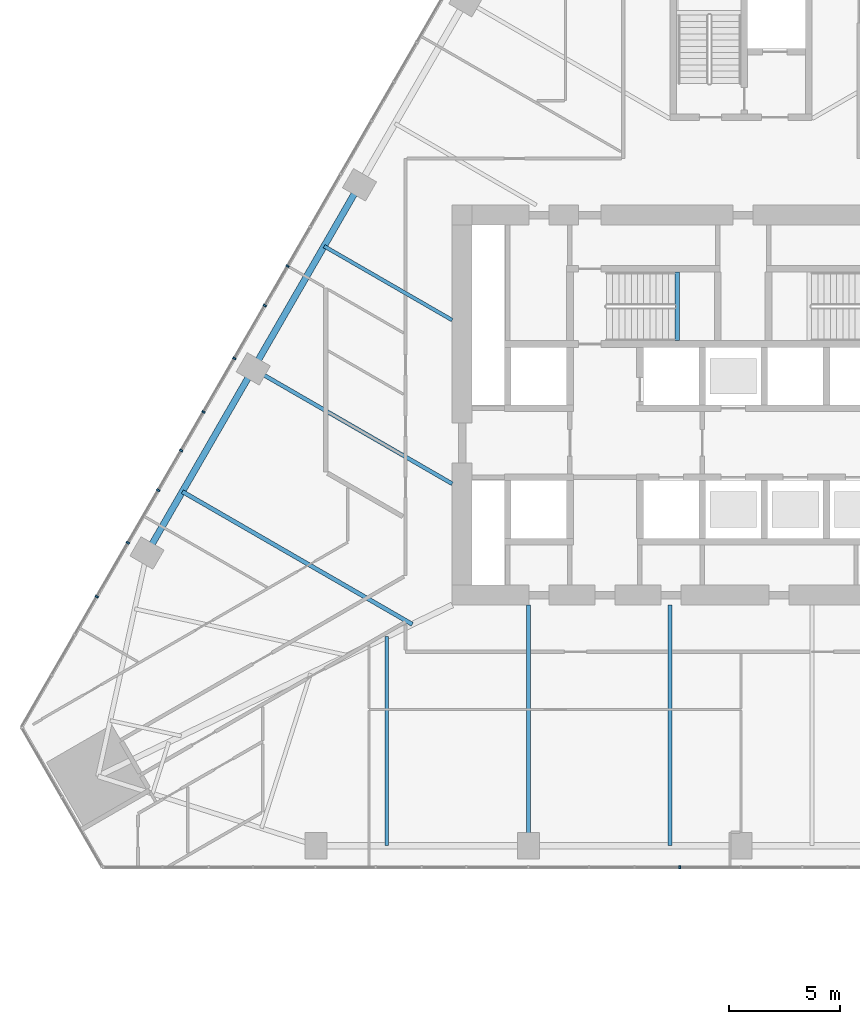
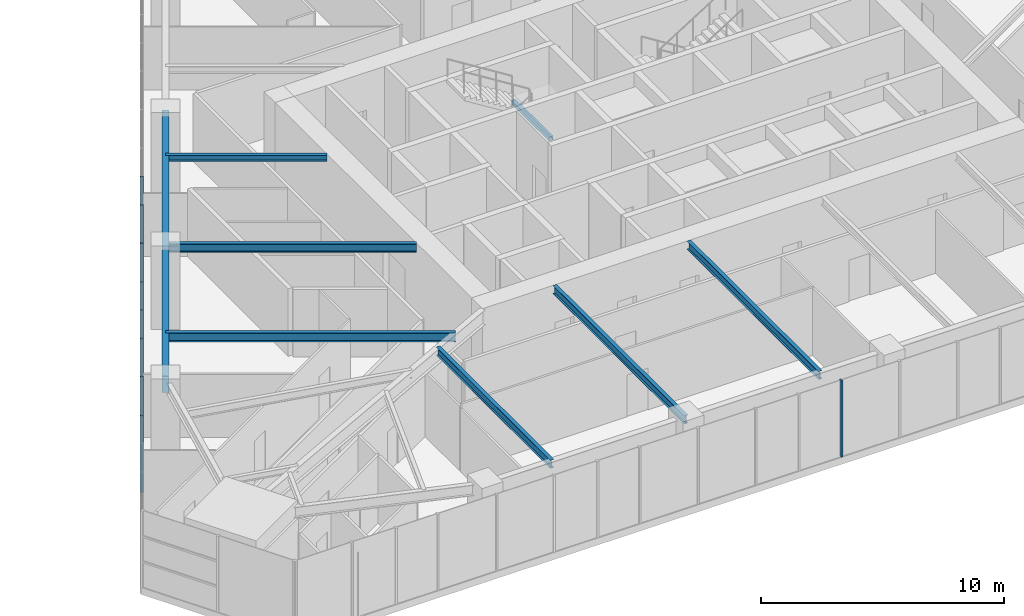
# One storey, part 4 of 26: 9 members, 8 beams, 2 elements without a shape of their own.
"""IFC4 building model written with IfcOpenShell, lengths in metres."""

from ifc_helpers import new_model, si_unit, direction, frame, origin, origin_2d, place, context, subcontext, project, spatial, rectangle, i_section, extrude, material, layer, layer_set, material_profile, profile_set, type_object, element, aggregate, save


model = new_model("IFC4")

# Units and contexts
model_context = context("Model", 3, precision=1e-05, world=origin(), true_north=direction((0.0, 1.0)))
body_context = subcontext(model_context, "Body", "Model", "MODEL_VIEW")
ifc_project = project(units=[si_unit("LENGTHUNIT", "METRE"), si_unit("AREAUNIT", "SQUARE_METRE"), si_unit("VOLUMEUNIT", "CUBIC_METRE"), si_unit("PLANEANGLEUNIT", "RADIAN"), si_unit("MASSUNIT", "GRAM", prefix="KILO")], contexts=[model_context])

# Site, building, storey
site_placement = place(None, origin())
site = spatial("IfcSite", under=ifc_project, at=site_placement, CompositionType="ELEMENT")
building_placement = place(site_placement, origin())
building = spatial("IfcBuilding", under=site, at=building_placement, Name="Firuza Gate Tower and Library", CompositionType="ELEMENT")
storey_placement = place(building_placement, frame((0.0, 0.0, 52.60009765625)))
storey = spatial("IfcBuildingStorey", under=building, at=storey_placement, Name="L11", CompositionType="ELEMENT", Elevation=52.60009765625)

# Curtain wall, member
ifc_material_1 = material(Name="Aluminium 6063-T6", Category="aluminium")
ifc_layer = layer(ifc_material_1, 0.14990234375)
ifc_layer_set = layer_set([ifc_layer], Name="Unitised curtain wall, offices")
curtain_wall_type = type_object("IfcCurtainWallType", Name="Unitised curtain wall, offices", PredefinedType="NOTDEFINED", material=ifc_layer_set)
placement = place(storey_placement, origin())
curtain_wall_1 = element("IfcCurtainWall", 1, at=placement, inside=storey, type_object=curtain_wall_type, Name="CW1 L11 S face", PredefinedType="NOTDEFINED")
ifc_material_2 = material(Name="Aluminium 6063-T6", Category="aluminium")
ifc_material_profile_1 = material_profile(ifc_material_2, rectangle(XDim=0.14990234375, YDim=0.080078125, at=origin_2d()))
ifc_profile_set_1 = profile_set([ifc_material_profile_1], Name="Aluminium 6063-T6")
member_type = type_object("IfcMemberType", Name="Curtain wall mullion 80x150", PredefinedType="MULLION", material=ifc_profile_set_1)
member_1_placement = place(storey_placement, frame((72.237548828125, 54.197265625, 0.14990234375), z_axis=(0.0, 0.0, 1.0), x_axis=(0.0, 1.0, 0.0)))
member_1 = element("IfcMember", 2, at=member_1_placement, type_object=member_type, Name="Mullion", PredefinedType="MULLION", context=body_context, shape_type="SweptSolid", body=[
    extrude(rectangle(XDim=0.14990234375, YDim=0.080078125, at=origin_2d()), origin(), (0.0, 0.0, 1.0), 3.85009765625),
])
aggregate(curtain_wall_1, [member_1])

# Curtain wall, members
curtain_wall_2 = element("IfcCurtainWall", 3, at=placement, inside=storey, type_object=curtain_wall_type, Name="CW1 L11 W face", PredefinedType="NOTDEFINED")
member_2_placement = place(storey_placement, frame((54.5888671875, 81.25244140625, 0.14990234375), z_axis=(0.0, 0.0, 1.0), x_axis=(0.866025403784, -0.5, 0.0)))
member_2 = element("IfcMember", 4, at=member_2_placement, type_object=member_type, Name="Mullion", PredefinedType="MULLION", context=body_context, shape_type="SweptSolid", body=[
    extrude(rectangle(XDim=0.14990234375, YDim=0.080078125, at=origin_2d()), origin(), (0.0, 0.0, 1.0), 3.85009765625),
])
member_3_placement = place(storey_placement, frame((52.193359375, 77.103515625, 0.14990234375), z_axis=(0.0, 0.0, 1.0), x_axis=(0.866025403784, -0.5, 0.0)))
member_3 = element("IfcMember", 5, at=member_3_placement, type_object=member_type, Name="Mullion", PredefinedType="MULLION", context=body_context, shape_type="SweptSolid", body=[
    extrude(rectangle(XDim=0.14990234375, YDim=0.080078125, at=origin_2d()), origin(), (0.0, 0.0, 1.0), 3.85009765625),
])
member_4_placement = place(storey_placement, frame((49.7978515625, 72.95458984375, 0.14990234375), z_axis=(0.0, 0.0, 1.0), x_axis=(0.866025403784, -0.5, 0.0)))
member_4 = element("IfcMember", 6, at=member_4_placement, type_object=member_type, Name="Mullion", PredefinedType="MULLION", context=body_context, shape_type="SweptSolid", body=[
    extrude(rectangle(XDim=0.14990234375, YDim=0.080078125, at=origin_2d()), origin(), (0.0, 0.0, 1.0), 3.85009765625),
])
member_5_placement = place(storey_placement, frame((47.402587890625, 68.805419921875, 0.14990234375), z_axis=(0.0, 0.0, 1.0), x_axis=(0.866025403784, -0.5, 0.0)))
member_5 = element("IfcMember", 7, at=member_5_placement, type_object=member_type, Name="Mullion", PredefinedType="MULLION", context=body_context, shape_type="SweptSolid", body=[
    extrude(rectangle(XDim=0.14990234375, YDim=0.080078125, at=origin_2d()), origin(), (0.0, 0.0, 1.0), 3.85009765625),
])
member_6_placement = place(storey_placement, frame((53.5654296875, 79.47998046875, 0.14990234375), z_axis=(0.0, 0.0, 1.0), x_axis=(0.866025403784, -0.5, 0.0)))
member_6 = element("IfcMember", 8, at=member_6_placement, type_object=member_type, Name="Mullion", PredefinedType="MULLION", context=body_context, shape_type="SweptSolid", body=[
    extrude(rectangle(XDim=0.14990234375, YDim=0.080078125, at=origin_2d()), origin(), (0.0, 0.0, 1.0), 3.85009765625),
])
member_7_placement = place(storey_placement, frame((50.802978515625, 74.6953125, 0.14990234375), z_axis=(0.0, 0.0, 1.0), x_axis=(0.866025403784, -0.5, 0.0)))
member_7 = element("IfcMember", 9, at=member_7_placement, type_object=member_type, Name="Mullion", PredefinedType="MULLION", context=body_context, shape_type="SweptSolid", body=[
    extrude(rectangle(XDim=0.14990234375, YDim=0.080078125, at=origin_2d()), origin(), (0.0, 0.0, 1.0), 3.85009765625),
])
member_8_placement = place(storey_placement, frame((48.765380859375, 71.166015625, 0.14990234375), z_axis=(0.0, 0.0, 1.0), x_axis=(0.866025403784, -0.5, 0.0)))
member_8 = element("IfcMember", 10, at=member_8_placement, type_object=member_type, Name="Mullion", PredefinedType="MULLION", context=body_context, shape_type="SweptSolid", body=[
    extrude(rectangle(XDim=0.14990234375, YDim=0.080078125, at=origin_2d()), origin(), (0.0, 0.0, 1.0), 3.85009765625),
])
member_9_placement = place(storey_placement, frame((46.0029296875, 66.38134765625, 0.14990234375), z_axis=(0.0, 0.0, 1.0), x_axis=(0.866025403784, -0.5, 0.0)))
member_9 = element("IfcMember", 11, at=member_9_placement, type_object=member_type, Name="Mullion", PredefinedType="MULLION", context=body_context, shape_type="SweptSolid", body=[
    extrude(rectangle(XDim=0.14990234375, YDim=0.080078125, at=origin_2d()), origin(), (0.0, 0.0, 1.0), 3.85009765625),
])
aggregate(curtain_wall_2, [member_2, member_3, member_4, member_5, member_6, member_7, member_8, member_9])

# Beams
ifc_material_3 = material(Name="Concrete C35/45", Category="concrete")
ifc_material_profile_2 = material_profile(ifc_material_3, rectangle(XDim=0.199951171875, YDim=0.199951171875, at=origin_2d()))
ifc_profile_set_2 = profile_set([ifc_material_profile_2], Name="Concrete C35/45")
beam_type_1 = type_object("IfcBeamType", Name="Stair landing bearer 200x200", PredefinedType="BEAM", material=ifc_profile_set_2)
beam_1_placement = place(storey_placement, frame((72.1201171875, 77.89990234375, 1.7998046875), z_axis=(0.0, 1.0, 0.0), x_axis=(-1.0, 0.0, 0.0)))
element("IfcBeam", 12, at=beam_1_placement, inside=storey, type_object=beam_type_1, Name="Landing bearer L11 stair 1", PredefinedType="BEAM", context=body_context, shape_type="SweptSolid", body=[
    extrude(rectangle(XDim=0.199951171875, YDim=0.199951171875, at=origin_2d()), origin(), (0.0, 0.0, 1.0), 3.080078125),
])
ifc_material_4 = material(Name="Steel S355", Category="steel")
ifc_material_profile_3 = material_profile(ifc_material_4, i_section(OverallWidth=0.1650390625, OverallDepth=0.31005859375, WebThickness=0.005859375, FlangeThickness=0.009765625, at=origin_2d()))
ifc_profile_set_3 = profile_set([ifc_material_profile_3], Name="Steel S355")
beam_type_2 = type_object("IfcBeamType", Name="W310x39 Floor beam", PredefinedType="JOIST", material=ifc_profile_set_3)
beam_2_placement = place(storey_placement, frame((56.234130859375, 82.152099609375, 3.844970703125), z_axis=(0.866029870483, -0.499992263371, 0.0), x_axis=(0.499992263371, 0.866029870483, 0.0)))
element("IfcBeam", 13, at=beam_2_placement, inside=storey, type_object=beam_type_2, Name="Floor beam L11 s83", PredefinedType="JOIST", context=body_context, shape_type="SweptSolid", body=[
    extrude(i_section(OverallWidth=0.1650390625, OverallDepth=0.31005859375, WebThickness=0.005859375, FlangeThickness=0.009765625, at=origin_2d()), origin(), (0.0, 0.0, 1.0), 6.65771484375),
])
ifc_material_5 = material(Name="Steel S355", Category="steel")
ifc_material_profile_4 = material_profile(ifc_material_5, i_section(OverallWidth=0.177978515625, OverallDepth=0.406982421875, WebThickness=0.0078125, FlangeThickness=0.0126953125, at=origin_2d()))
ifc_profile_set_4 = profile_set([ifc_material_profile_4], Name="Steel S355")
beam_type_3 = type_object("IfcBeamType", Name="W410x60 Floor beam", PredefinedType="JOIST", material=ifc_profile_set_4)
beam_3_placement = place(storey_placement, frame((59.0546875, 55.172119140625, 3.79638671875), z_axis=(0.0, 1.0, 0.0), x_axis=(-1.0, 0.0, 0.0)))
element("IfcBeam", 14, at=beam_3_placement, inside=storey, type_object=beam_type_3, Name="Floor beam L11 s20", PredefinedType="JOIST", context=body_context, shape_type="SweptSolid", body=[
    extrude(i_section(OverallWidth=0.177978515625, OverallDepth=0.406982421875, WebThickness=0.0078125, FlangeThickness=0.0126953125, at=origin_2d()), origin(), (0.0, 0.0, 1.0), 9.403564453125),
])
for number, where, z_axis, x_axis, name in (
    (15, (65.432861328125, 55.172119140625, 3.79638671875), (0.0, 1.0, 0.0), (-1.0, 0.0, 0.0), "Floor beam L11 s21"),
    (16, (71.81103515625, 55.172119140625, 3.79638671875), (0.0, 1.0, 0.0), (-1.0, 0.0, 0.0), "Floor beam L11 s22"),
):
    element("IfcBeam", number, at=place(storey_placement, frame(where, z_axis=z_axis, x_axis=x_axis)), inside=storey, type_object=beam_type_3, Name=name, PredefinedType="JOIST", context=body_context, shape_type="SweptSolid", body=[
        extrude(i_section(OverallWidth=0.177978515625, OverallDepth=0.406982421875, WebThickness=0.0078125, FlangeThickness=0.0126953125, at=origin_2d()), origin(), (0.0, 0.0, 1.0), 10.827880859375),
    ])
beam_4_placement = place(storey_placement, frame((53.044921875, 76.62841796875, 3.79638671875), z_axis=(0.866027528992, -0.499996319015, 0.0), x_axis=(0.499996319015, 0.866027528992, 0.0)))
element("IfcBeam", 17, at=beam_4_placement, inside=storey, type_object=beam_type_3, Name="Floor beam L11 s84", PredefinedType="JOIST", context=body_context, shape_type="SweptSolid", body=[
    extrude(i_section(OverallWidth=0.177978515625, OverallDepth=0.406982421875, WebThickness=0.0078125, FlangeThickness=0.0126953125, at=origin_2d()), origin(), (0.0, 0.0, 1.0), 10.34033203125),
])
ifc_material_6 = material(Name="Steel S355", Category="steel")
ifc_material_profile_5 = material_profile(ifc_material_6, i_section(OverallWidth=0.18994140625, OverallDepth=0.45703125, WebThickness=0.009033203125, FlangeThickness=0.014404296875, at=origin_2d()))
ifc_profile_set_5 = profile_set([ifc_material_profile_5], Name="Steel S355")
beam_type_4 = type_object("IfcBeamType", Name="W460x74 Floor beam", PredefinedType="JOIST", material=ifc_profile_set_5)
beam_5_placement = place(storey_placement, frame((49.85595703125, 71.104736328125, 3.771484375), z_axis=(0.866022587882, -0.500004877254, 0.0), x_axis=(0.500004877254, 0.866022587882, 0.0)))
element("IfcBeam", 18, at=beam_5_placement, inside=storey, type_object=beam_type_4, Name="Floor beam L11 s85", PredefinedType="JOIST", context=body_context, shape_type="SweptSolid", body=[
    extrude(i_section(OverallWidth=0.18994140625, OverallDepth=0.45703125, WebThickness=0.009033203125, FlangeThickness=0.014404296875, at=origin_2d()), origin(), (0.0, 0.0, 1.0), 11.94775390625),
])
ifc_material_7 = material(Name="Steel S355", Category="steel")
ifc_material_profile_6 = material_profile(ifc_material_7, i_section(OverallWidth=0.2919921875, OverallDepth=0.8349609375, WebThickness=0.013916015625, FlangeThickness=0.018798828125, at=origin_2d()))
ifc_profile_set_6 = profile_set([ifc_material_profile_6], Name="Steel S355")
beam_type_5 = type_object("IfcBeamType", Name="W840x176 Edge beam", PredefinedType="SPANDREL", material=ifc_profile_set_6)
beam_6_placement = place(storey_placement, frame((57.82861328125, 84.913818359375, 3.58251953125), z_axis=(-0.500008878765, -0.866020277567, 0.0), x_axis=(0.866020277567, -0.500008878765, 0.0)))
element("IfcBeam", 19, at=beam_6_placement, inside=storey, type_object=beam_type_5, Name="Edge beam L11 e82", PredefinedType="SPANDREL", context=body_context, shape_type="SweptSolid", body=[
    extrude(i_section(OverallWidth=0.2919921875, OverallDepth=0.8349609375, WebThickness=0.013916015625, FlangeThickness=0.018798828125, at=origin_2d()), origin(), (0.0, 0.0, 1.0), 19.134521484375),
])

save(model, "model.ifc")
